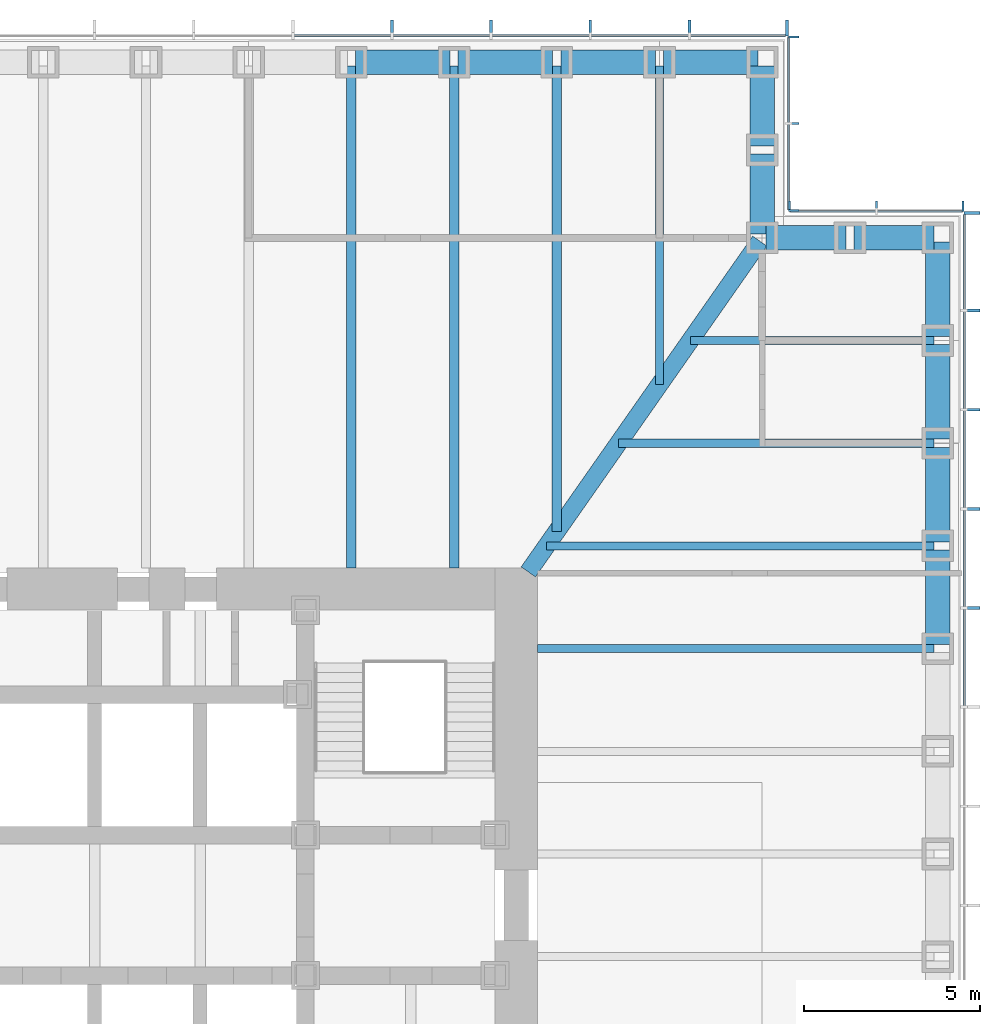
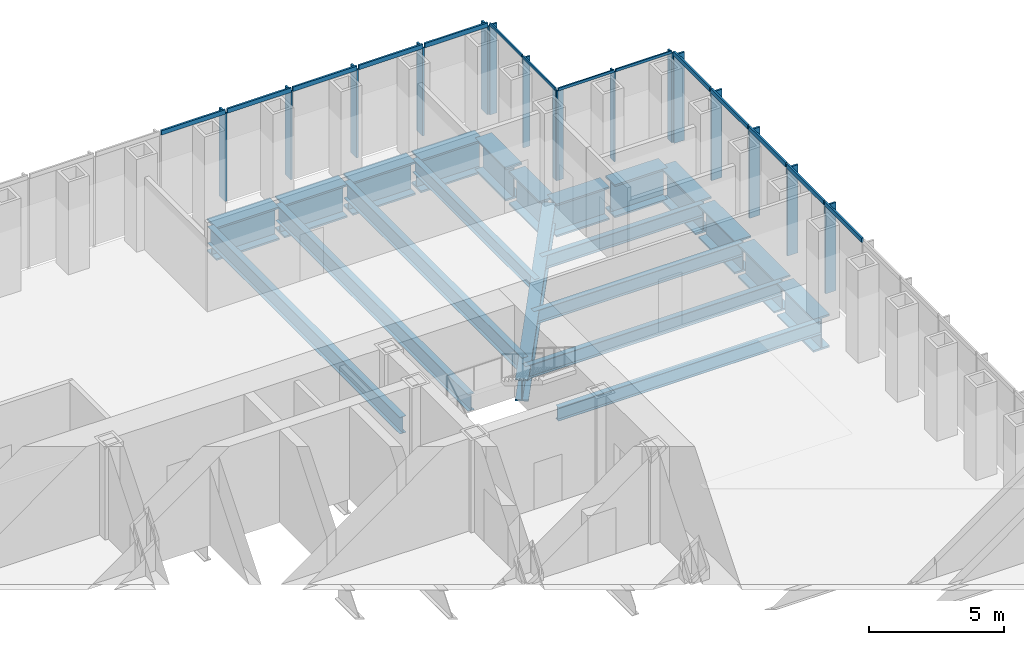
# One storey, part 6 of 17: 30 members, 21 beams, 4 elements without a shape of their own.
"""IFC4 building model written with IfcOpenShell, lengths in metres."""

import ifcopenshell
import ifcopenshell.guid

model = None  # the IFC model being written
_history = None  # IfcOwnerHistory: only IFC2X3 demands one
_inside = {}  # id of a spatial element -> (the spatial element, [elements in it])
_under = {}  # id of a project, library or spatial element -> (it, [spatial elements below it])
_declared = {}  # id of a project -> (the project, [libraries it declares])
_typed = {}  # id of a type object -> (the type object, [elements of that type])
_made_of = {}  # id of a material, layer set ... -> (it, [elements and type objects made of it])


def new_model(schema):
    """Start an empty IFC model of exactly this schema.

    Asked for "IFC4X3", IfcOpenShell would pick the latest addendum, in which some entities
    have other attributes; the version numbers below select the first issue.
    IFC2X3 requires an IfcOwnerHistory on every rooted entity: one is made here for all.
    """
    global model, _history
    if schema == "IFC4X3":
        model = ifcopenshell.file(schema_version=(4, 3, 0, 0))
    else:
        model = ifcopenshell.file(schema=schema)
    _inside.clear()
    _under.clear()
    _declared.clear()
    _typed.clear()
    _made_of.clear()
    _history = None
    if model.schema == "IFC2X3":
        org = make("IfcOrganization", Name="unknown")
        user = make(
            "IfcPersonAndOrganization",
            ThePerson=make("IfcPerson", FamilyName="unknown"),
            TheOrganization=org,
        )
        app = make(
            "IfcApplication",
            ApplicationDeveloper=org,
            Version="unknown",
            ApplicationFullName="unknown",
            ApplicationIdentifier="unknown",
        )
        _history = make(
            "IfcOwnerHistory",
            OwningUser=user,
            OwningApplication=app,
            ChangeAction="ADDED",
            CreationDate=0,
        )
    return model


def make(cls, **values):
    """One entity of the class cls with the attributes given. An attribute that is None is left unset."""
    return model.create_entity(
        cls, **{name: value for name, value in values.items() if value is not None}
    )


def rooted(cls, **values):
    """An entity with a GlobalId (a new one), such as an element, a storey or a relation."""
    return make(cls, GlobalId=ifcopenshell.guid.new(), OwnerHistory=_history, **values)


def si_unit(unit_type, name, prefix=None):
    """IfcSIUnit, for example si_unit("LENGTHUNIT", "METRE", prefix="MILLI")."""
    return make("IfcSIUnit", UnitType=unit_type, Prefix=prefix, Name=name)


def assignment(units):
    """IfcUnitAssignment: the units of a project."""
    return None if units is None else make("IfcUnitAssignment", Units=units)


def point(xyz):
    """IfcCartesianPoint."""
    return None if xyz is None else make("IfcCartesianPoint", Coordinates=xyz)


def direction(xyz):
    """IfcDirection."""
    return None if xyz is None else make("IfcDirection", DirectionRatios=xyz)


def frame(location, z_axis=None, x_axis=None):
    """IfcAxis2Placement3D, a coordinate frame: its origin and axes. An axis left out is left unset."""
    return make(
        "IfcAxis2Placement3D",
        Location=point(location),
        Axis=direction(z_axis),
        RefDirection=direction(x_axis),
    )


def frame_2d(location, x_axis=None):
    """IfcAxis2Placement2D, a coordinate frame in the plane: its origin and x axis."""
    return make(
        "IfcAxis2Placement2D", Location=point(location), RefDirection=direction(x_axis)
    )


def origin():
    """The frame at (0, 0, 0) with its axes left unset."""
    return frame((0.0, 0.0, 0.0))


def origin_2d():
    """The frame at (0, 0) in the plane with its x axis left unset."""
    return frame_2d((0.0, 0.0))


def place(relative_to, where):
    """IfcLocalPlacement: puts the frame where relative to a parent placement (None: the world)."""
    return make(
        "IfcLocalPlacement", PlacementRelTo=relative_to, RelativePlacement=where
    )


def context(
    kind, dimensions, precision=None, world=None, true_north=None, identifier=None
):
    """IfcGeometricRepresentationContext, for example the 3D "Model" context."""
    return make(
        "IfcGeometricRepresentationContext",
        ContextIdentifier=identifier,
        ContextType=kind,
        CoordinateSpaceDimension=dimensions,
        Precision=precision,
        WorldCoordinateSystem=world,
        TrueNorth=true_north,
    )


def subcontext(parent, identifier, kind, view, scale=None):
    """IfcGeometricRepresentationSubContext, for example "Body" below "Model"."""
    return make(
        "IfcGeometricRepresentationSubContext",
        ContextIdentifier=identifier,
        ContextType=kind,
        ParentContext=parent,
        TargetScale=scale,
        TargetView=view,
    )


def project(units=None, contexts=None):
    """IfcProject with its units and contexts."""
    return rooted(
        "IfcProject",
        Name="project",
        RepresentationContexts=contexts,
        UnitsInContext=assignment(units),
    )


def spatial(cls, under=None, at=None, **own):
    """A site, building, storey or space (cls), placed at a placement, below another one or the project."""
    s = rooted(cls, ObjectPlacement=at, **own)
    if under is not None:
        _under.setdefault(under.id(), (under, []))[1].append(s)
    return s


def profile(cls, at=None, kind="AREA", **sizes):
    """A parametric profile (cls). Its sizes go by their IFC names, for example OverallWidth=200.0."""
    return make(cls, ProfileType=kind, Position=at, **sizes)


def rectangle(**sizes):
    """IfcRectangleProfileDef."""
    return profile("IfcRectangleProfileDef", **sizes)


def i_section(**sizes):
    """IfcIShapeProfileDef."""
    return profile("IfcIShapeProfileDef", **sizes)


def extrude(swept, where, along, depth):
    """IfcExtrudedAreaSolid: the profile swept, set in the frame where, extruded along a direction by depth."""
    return make(
        "IfcExtrudedAreaSolid",
        SweptArea=swept,
        Position=where,
        ExtrudedDirection=direction(along),
        Depth=depth,
    )


def shape(context_of_items, identifier, shape_type, items):
    """IfcShapeRepresentation: the items that make up one representation, for example the "Body"."""
    return make(
        "IfcShapeRepresentation",
        ContextOfItems=context_of_items,
        RepresentationIdentifier=identifier,
        RepresentationType=shape_type,
        Items=items,
    )


def material(Name=None, Category=None):
    """IfcMaterial."""
    return make("IfcMaterial", Name=Name, Category=Category)


def material_profile(
    of_material, cross_section, Name=None, Category=None, Priority=None
):
    """IfcMaterialProfile: a cross section and its material."""
    return make(
        "IfcMaterialProfile",
        Name=Name,
        Material=of_material,
        Profile=cross_section,
        Priority=Priority,
        Category=Category,
    )


def profile_set(profiles, Name=None, composite=None):
    """IfcMaterialProfileSet."""
    return make(
        "IfcMaterialProfileSet",
        Name=Name,
        MaterialProfiles=profiles,
        CompositeProfile=composite,
    )


def made_of(thing, what):
    """Note that an element or type object is made of a material, layer set ...; save() writes the relation."""
    if what is not None:
        _made_of.setdefault(what.id(), (what, []))[1].append(thing)
    return thing


def type_object(cls, material=None, **own):
    """A type object (cls), such as IfcWallType, which elements share."""
    return made_of(rooted(cls, **own), material)


def element(
    cls,
    number,
    at=None,
    inside=None,
    cuts=None,
    type_object=None,
    material=None,
    context=None,
    identifier="Body",
    shape_type=None,
    held_by="IfcProductDefinitionShape",
    body=None,
    shapes=None,
    **own,
):
    """One element of the class cls, such as IfcWall. Its Tag is "e" and its number.

    at: its placement. inside: the storey or other place that contains it. cuts: it is an
    opening in that element (IfcRelVoidsElement). A single representation is given by context,
    identifier, shape_type and body (its items); several are given by shapes. held_by: the class
    of the entity that holds the representations. save() writes the other relations.
    """
    e = rooted(cls, Tag="e%d" % number, ObjectPlacement=at, **own)
    if body is not None:
        shapes = [shape(context, identifier, shape_type, body)]
    if shapes is not None:
        e.Representation = make(held_by, Representations=shapes)
    if inside is not None:
        _inside.setdefault(inside.id(), (inside, []))[1].append(e)
    if cuts is not None:
        rooted(
            "IfcRelVoidsElement", RelatingBuildingElement=cuts, RelatedOpeningElement=e
        )
    if type_object is not None:
        _typed.setdefault(type_object.id(), (type_object, []))[1].append(e)
    return made_of(e, material)


def aggregate(whole, parts):
    """IfcRelAggregates: a whole, such as a stair, and the parts it consists of."""
    return rooted("IfcRelAggregates", RelatingObject=whole, RelatedObjects=parts)


def save(model, path):
    """Write the relations noted so far, then the file.

    IfcRelAggregates (storeys below a building ...), IfcRelContainedInSpatialStructure (elements
    in a storey), IfcRelDefinesByType, IfcRelAssociatesMaterial and IfcRelDeclares: one each for
    every whole, place, type object, material and project.
    """
    for whole, parts in _under.values():
        aggregate(whole, parts)
    for where, things in _inside.values():
        rooted(
            "IfcRelContainedInSpatialStructure",
            RelatedElements=things,
            RelatingStructure=where,
        )
    for kind, things in _typed.values():
        rooted("IfcRelDefinesByType", RelatedObjects=things, RelatingType=kind)
    for what, things in _made_of.values():
        rooted("IfcRelAssociatesMaterial", RelatedObjects=things, RelatingMaterial=what)
    for by, libraries in _declared.values():
        rooted("IfcRelDeclares", RelatingContext=by, RelatedDefinitions=libraries)
    model.write(path)


model = new_model("IFC4")

# Units and contexts
model_context = context("Model", 3, precision=1e-05, world=origin(), true_north=direction((0.0, 1.0)))
body_context = subcontext(model_context, "Body", "Model", "MODEL_VIEW")
ifc_project = project(units=[si_unit("LENGTHUNIT", "METRE"), si_unit("AREAUNIT", "SQUARE_METRE"), si_unit("VOLUMEUNIT", "CUBIC_METRE"), si_unit("PLANEANGLEUNIT", "RADIAN"), si_unit("MASSUNIT", "GRAM", prefix="KILO")], contexts=[model_context])

# Site, building, storey
site_placement = place(None, origin())
site = spatial("IfcSite", under=ifc_project, at=site_placement, CompositionType="ELEMENT")
building_placement = place(site_placement, origin())
building = spatial("IfcBuilding", under=site, at=building_placement, Name="Daluyong Arena Tower", CompositionType="ELEMENT")
storey_placement = place(building_placement, frame((0.0, 0.0, 85.300048828125)))
storey = spatial("IfcBuildingStorey", under=building, at=storey_placement, Name="L18", CompositionType="ELEMENT", Elevation=85.300048828125)

# Curtain wall, members
ifc_material_1 = material(Name="Bronze anodised aluminium and glass", Category="aluminium")
curtain_wall_type_1 = type_object("IfcCurtainWallType", Name="Curtain wall CW1", PredefinedType="USERDEFINED", material=ifc_material_1)
curtain_wall_1_placement = place(storey_placement, origin())
curtain_wall_1 = element("IfcCurtainWall", 1, at=curtain_wall_1_placement, inside=storey, type_object=curtain_wall_type_1, Name="curtain wall L18 E", ObjectType="UNITISED CURTAIN WALL", PredefinedType="USERDEFINED")
ifc_material_2 = material(Name="Bronze anodised aluminium fin", Category="aluminium")
ifc_material_profile_1 = material_profile(ifc_material_2, rectangle(XDim=0.449951171875, YDim=0.080078125, at=origin_2d()))
ifc_profile_set_1 = profile_set([ifc_material_profile_1], Name="Bronze anodised aluminium fin")
member_type_1 = type_object("IfcMemberType", Name="CW1 bronze fin 450x80", PredefinedType="MULLION", material=ifc_profile_set_1)
member_1_placement = place(storey_placement, frame((80.97509765625, 88.46435546875, 0.0), z_axis=(0.0, 0.0, 1.0), x_axis=(-1.0, 0.0, 0.0)))
member_1 = element("IfcMember", 2, at=member_1_placement, type_object=member_type_1, Name="curtain wall L18 E fin 11", PredefinedType="MULLION", context=body_context, shape_type="SweptSolid", body=[
    extrude(rectangle(XDim=0.449951171875, YDim=0.080078125, at=origin_2d()), origin(), (0.0, 0.0, 1.0), 4.0),
])
member_2_placement = place(storey_placement, frame((80.97509765625, 91.28564453125, 0.0), z_axis=(0.0, 0.0, 1.0), x_axis=(-1.0, 0.0, 0.0)))
member_2 = element("IfcMember", 3, at=member_2_placement, type_object=member_type_1, Name="curtain wall L18 E fin 12", PredefinedType="MULLION", context=body_context, shape_type="SweptSolid", body=[
    extrude(rectangle(XDim=0.449951171875, YDim=0.080078125, at=origin_2d()), origin(), (0.0, 0.0, 1.0), 4.0),
])
member_3_placement = place(storey_placement, frame((80.97509765625, 94.107177734375, 0.0), z_axis=(0.0, 0.0, 1.0), x_axis=(-1.0, 0.0, 0.0)))
member_3 = element("IfcMember", 4, at=member_3_placement, type_object=member_type_1, Name="curtain wall L18 E fin 13", PredefinedType="MULLION", context=body_context, shape_type="SweptSolid", body=[
    extrude(rectangle(XDim=0.449951171875, YDim=0.080078125, at=origin_2d()), origin(), (0.0, 0.0, 1.0), 4.0),
])
member_4_placement = place(storey_placement, frame((80.97509765625, 96.928466796875, 0.0), z_axis=(0.0, 0.0, 1.0), x_axis=(-1.0, 0.0, 0.0)))
member_4 = element("IfcMember", 5, at=member_4_placement, type_object=member_type_1, Name="curtain wall L18 E fin 14", PredefinedType="MULLION", context=body_context, shape_type="SweptSolid", body=[
    extrude(rectangle(XDim=0.449951171875, YDim=0.080078125, at=origin_2d()), origin(), (0.0, 0.0, 1.0), 4.0),
])
member_5_placement = place(storey_placement, frame((80.97509765625, 99.7099609375, 0.0), z_axis=(0.0, 0.0, 1.0), x_axis=(-1.0, 0.0, 0.0)))
member_5 = element("IfcMember", 6, at=member_5_placement, type_object=member_type_1, Name="curtain wall L18 E fin 15", PredefinedType="MULLION", context=body_context, shape_type="SweptSolid", body=[
    extrude(rectangle(XDim=0.449951171875, YDim=0.080078125, at=origin_2d()), origin(), (0.0, 0.0, 1.0), 4.0),
])

curtain_wall_2_placement = place(storey_placement, origin())
curtain_wall_2 = element("IfcCurtainWall", 7, at=curtain_wall_2_placement, inside=storey, type_object=curtain_wall_type_1, Name="curtain wall L18 N", ObjectType="UNITISED CURTAIN WALL", PredefinedType="USERDEFINED")
member_6_placement = place(storey_placement, frame((75.7099609375, 104.97509765625, 0.0), z_axis=(0.0, 0.0, 1.0), x_axis=(0.0, -1.0, 0.0)))
member_6 = element("IfcMember", 8, at=member_6_placement, type_object=member_type_1, Name="curtain wall L18 N fin 1", PredefinedType="MULLION", context=body_context, shape_type="SweptSolid", body=[
    extrude(rectangle(XDim=0.449951171875, YDim=0.080078125, at=origin_2d()), origin(), (0.0, 0.0, 1.0), 4.0),
])
member_7_placement = place(storey_placement, frame((72.928466796875, 104.97509765625, 0.0), z_axis=(0.0, 0.0, 1.0), x_axis=(0.0, -1.0, 0.0)))
member_7 = element("IfcMember", 9, at=member_7_placement, type_object=member_type_1, Name="curtain wall L18 N fin 2", PredefinedType="MULLION", context=body_context, shape_type="SweptSolid", body=[
    extrude(rectangle(XDim=0.449951171875, YDim=0.080078125, at=origin_2d()), origin(), (0.0, 0.0, 1.0), 4.0),
])
member_8_placement = place(storey_placement, frame((70.107177734375, 104.97509765625, 0.0), z_axis=(0.0, 0.0, 1.0), x_axis=(0.0, -1.0, 0.0)))
member_8 = element("IfcMember", 10, at=member_8_placement, type_object=member_type_1, Name="curtain wall L18 N fin 3", PredefinedType="MULLION", context=body_context, shape_type="SweptSolid", body=[
    extrude(rectangle(XDim=0.449951171875, YDim=0.080078125, at=origin_2d()), origin(), (0.0, 0.0, 1.0), 4.0),
])
member_9_placement = place(storey_placement, frame((67.28564453125, 104.97509765625, 0.0), z_axis=(0.0, 0.0, 1.0), x_axis=(0.0, -1.0, 0.0)))
member_9 = element("IfcMember", 11, at=member_9_placement, type_object=member_type_1, Name="curtain wall L18 N fin 4", PredefinedType="MULLION", context=body_context, shape_type="SweptSolid", body=[
    extrude(rectangle(XDim=0.449951171875, YDim=0.080078125, at=origin_2d()), origin(), (0.0, 0.0, 1.0), 4.0),
])
member_10_placement = place(storey_placement, frame((64.46435546875, 104.97509765625, 0.0), z_axis=(0.0, 0.0, 1.0), x_axis=(0.0, -1.0, 0.0)))
member_10 = element("IfcMember", 12, at=member_10_placement, type_object=member_type_1, Name="curtain wall L18 N fin 5", PredefinedType="MULLION", context=body_context, shape_type="SweptSolid", body=[
    extrude(rectangle(XDim=0.449951171875, YDim=0.080078125, at=origin_2d()), origin(), (0.0, 0.0, 1.0), 4.0),
])

# Member
ifc_material_3 = material(Name="Bronze anodised aluminium", Category="aluminium")
ifc_material_profile_2 = material_profile(ifc_material_3, rectangle(XDim=0.080078125, YDim=0.199951171875, at=origin_2d()))
ifc_profile_set_2 = profile_set([ifc_material_profile_2], Name="Bronze anodised aluminium")
member_type_2 = type_object("IfcMemberType", Name="CW1 stack transom 200x80", PredefinedType="USERDEFINED", material=ifc_profile_set_2)
member_11_placement = place(storey_placement, frame((80.75, 85.682861328125, 4.099853515625), z_axis=(0.0, 1.0, 0.0), x_axis=(-1.0, 0.0, 0.0)))
member_11 = element("IfcMember", 13, at=member_11_placement, type_object=member_type_2, Name="curtain wall L18 E transom 10", ObjectType="TRANSOM", PredefinedType="USERDEFINED", context=body_context, shape_type="SweptSolid", body=[
    extrude(rectangle(XDim=0.080078125, YDim=0.199951171875, at=origin_2d()), origin(), (0.0, 0.0, 1.0), 2.741455078125),
])

member_12_placement = place(storey_placement, frame((80.75, 88.50439453125, 4.099853515625), z_axis=(0.0, 1.0, 0.0), x_axis=(-1.0, 0.0, 0.0)))
member_12 = element("IfcMember", 14, at=member_12_placement, type_object=member_type_2, Name="curtain wall L18 E transom 11", ObjectType="TRANSOM", PredefinedType="USERDEFINED", context=body_context, shape_type="SweptSolid", body=[
    extrude(rectangle(XDim=0.080078125, YDim=0.199951171875, at=origin_2d()), origin(), (0.0, 0.0, 1.0), 2.7412109375),
])

member_13_placement = place(storey_placement, frame((80.75, 91.32568359375, 4.099853515625), z_axis=(0.0, 1.0, 0.0), x_axis=(-1.0, 0.0, 0.0)))
member_13 = element("IfcMember", 15, at=member_13_placement, type_object=member_type_2, Name="curtain wall L18 E transom 12", ObjectType="TRANSOM", PredefinedType="USERDEFINED", context=body_context, shape_type="SweptSolid", body=[
    extrude(rectangle(XDim=0.080078125, YDim=0.199951171875, at=origin_2d()), origin(), (0.0, 0.0, 1.0), 2.741455078125),
])

member_14_placement = place(storey_placement, frame((80.75, 94.147216796875, 4.099853515625), z_axis=(0.0, 1.0, 0.0), x_axis=(-1.0, 0.0, 0.0)))
member_14 = element("IfcMember", 16, at=member_14_placement, type_object=member_type_2, Name="curtain wall L18 E transom 13", ObjectType="TRANSOM", PredefinedType="USERDEFINED", context=body_context, shape_type="SweptSolid", body=[
    extrude(rectangle(XDim=0.080078125, YDim=0.199951171875, at=origin_2d()), origin(), (0.0, 0.0, 1.0), 2.741455078125),
])

member_15_placement = place(storey_placement, frame((80.75, 96.968505859375, 4.099853515625), z_axis=(0.0, 1.0, 0.0), x_axis=(-1.0, 0.0, 0.0)))
member_15 = element("IfcMember", 17, at=member_15_placement, type_object=member_type_2, Name="curtain wall L18 E transom 14", ObjectType="TRANSOM", PredefinedType="USERDEFINED", context=body_context, shape_type="SweptSolid", body=[
    extrude(rectangle(XDim=0.080078125, YDim=0.199951171875, at=origin_2d()), origin(), (0.0, 0.0, 1.0), 2.701416015625),
])

aggregate(curtain_wall_1, [member_1, member_2, member_3, member_4, member_5, member_11, member_12, member_13, member_14, member_15])

member_16_placement = place(storey_placement, frame((75.669921875, 104.75, 4.099853515625), z_axis=(-1.0, 0.0, 0.0), x_axis=(0.0, -1.0, 0.0)))
member_16 = element("IfcMember", 18, at=member_16_placement, type_object=member_type_2, Name="curtain wall L18 N transom 1", ObjectType="TRANSOM", PredefinedType="USERDEFINED", context=body_context, shape_type="SweptSolid", body=[
    extrude(rectangle(XDim=0.080078125, YDim=0.199951171875, at=origin_2d()), origin(), (0.0, 0.0, 1.0), 2.701416015625),
])

member_17_placement = place(storey_placement, frame((72.888671875, 104.75, 4.099853515625), z_axis=(-1.0, 0.0, 0.0), x_axis=(0.0, -1.0, 0.0)))
member_17 = element("IfcMember", 19, at=member_17_placement, type_object=member_type_2, Name="curtain wall L18 N transom 2", ObjectType="TRANSOM", PredefinedType="USERDEFINED", context=body_context, shape_type="SweptSolid", body=[
    extrude(rectangle(XDim=0.080078125, YDim=0.199951171875, at=origin_2d()), origin(), (0.0, 0.0, 1.0), 2.741455078125),
])

member_18_placement = place(storey_placement, frame((70.067138671875, 104.75, 4.099853515625), z_axis=(-1.0, 0.0, 0.0), x_axis=(0.0, -1.0, 0.0)))
member_18 = element("IfcMember", 20, at=member_18_placement, type_object=member_type_2, Name="curtain wall L18 N transom 3", ObjectType="TRANSOM", PredefinedType="USERDEFINED", context=body_context, shape_type="SweptSolid", body=[
    extrude(rectangle(XDim=0.080078125, YDim=0.199951171875, at=origin_2d()), origin(), (0.0, 0.0, 1.0), 2.741455078125),
])

member_19_placement = place(storey_placement, frame((67.24560546875, 104.75, 4.099853515625), z_axis=(-1.0, 0.0, 0.0), x_axis=(0.0, -1.0, 0.0)))
member_19 = element("IfcMember", 21, at=member_19_placement, type_object=member_type_2, Name="curtain wall L18 N transom 4", ObjectType="TRANSOM", PredefinedType="USERDEFINED", context=body_context, shape_type="SweptSolid", body=[
    extrude(rectangle(XDim=0.080078125, YDim=0.199951171875, at=origin_2d()), origin(), (0.0, 0.0, 1.0), 2.7412109375),
])

member_20_placement = place(storey_placement, frame((64.42431640625, 104.75, 4.099853515625), z_axis=(-1.0, 0.0, 0.0), x_axis=(0.0, -1.0, 0.0)))
member_20 = element("IfcMember", 22, at=member_20_placement, type_object=member_type_2, Name="curtain wall L18 N transom 5", ObjectType="TRANSOM", PredefinedType="USERDEFINED", context=body_context, shape_type="SweptSolid", body=[
    extrude(rectangle(XDim=0.080078125, YDim=0.199951171875, at=origin_2d()), origin(), (0.0, 0.0, 1.0), 2.741455078125),
])

aggregate(curtain_wall_2, [member_6, member_7, member_8, member_9, member_10, member_16, member_17, member_18, member_19, member_20])

# Curtain wall, members
ifc_material_4 = material(Name="Bronze anodised aluminium and glass", Category="aluminium")
curtain_wall_type_2 = type_object("IfcCurtainWallType", Name="Curtain wall CW7", PredefinedType="USERDEFINED", material=ifc_material_4)
curtain_wall_3_placement = place(storey_placement, origin())
curtain_wall_3 = element("IfcCurtainWall", 23, at=curtain_wall_3_placement, inside=storey, type_object=curtain_wall_type_2, Name="curtain wall L18 NE-N", ObjectType="UNITISED CURTAIN WALL", PredefinedType="USERDEFINED")
ifc_material_5 = material(Name="Bronze anodised aluminium fin", Category="aluminium")
ifc_material_profile_3 = material_profile(ifc_material_5, rectangle(XDim=0.300048828125, YDim=0.06005859375, at=origin_2d()))
ifc_profile_set_3 = profile_set([ifc_material_profile_3], Name="Bronze anodised aluminium fin")
member_type_3 = type_object("IfcMemberType", Name="CW7 bronze fin 300x60", PredefinedType="MULLION", material=ifc_profile_set_3)
member_21_placement = place(storey_placement, frame((80.719970703125, 99.89990234375, 0.0), z_axis=(0.0, 0.0, 1.0), x_axis=(0.0, -1.0, 0.0)))
member_21 = element("IfcMember", 24, at=member_21_placement, type_object=member_type_3, Name="curtain wall L18 NE-N fin 1", PredefinedType="MULLION", context=body_context, shape_type="SweptSolid", body=[
    extrude(rectangle(XDim=0.300048828125, YDim=0.06005859375, at=origin_2d()), origin(), (0.0, 0.0, 1.0), 4.079833984375),
])
member_22_placement = place(storey_placement, frame((78.25, 99.89990234375, 0.0), z_axis=(0.0, 0.0, 1.0), x_axis=(0.0, -1.0, 0.0)))
member_22 = element("IfcMember", 25, at=member_22_placement, type_object=member_type_3, Name="curtain wall L18 NE-N fin 2", PredefinedType="MULLION", context=body_context, shape_type="SweptSolid", body=[
    extrude(rectangle(XDim=0.300048828125, YDim=0.06005859375, at=origin_2d()), origin(), (0.0, 0.0, 1.0), 4.079833984375),
])
member_23_placement = place(storey_placement, frame((75.780029296875, 99.89990234375, 0.0), z_axis=(0.0, 0.0, 1.0), x_axis=(0.0, -1.0, 0.0)))
member_23 = element("IfcMember", 26, at=member_23_placement, type_object=member_type_3, Name="curtain wall L18 NE-N fin 3", PredefinedType="MULLION", context=body_context, shape_type="SweptSolid", body=[
    extrude(rectangle(XDim=0.300048828125, YDim=0.06005859375, at=origin_2d()), origin(), (0.0, 0.0, 1.0), 4.079833984375),
])

curtain_wall_4_placement = place(storey_placement, origin())
curtain_wall_4 = element("IfcCurtainWall", 27, at=curtain_wall_4_placement, inside=storey, type_object=curtain_wall_type_2, Name="curtain wall L18 NE-E", ObjectType="UNITISED CURTAIN WALL", PredefinedType="USERDEFINED")
member_24_placement = place(storey_placement, frame((75.89990234375, 99.780029296875, 0.0), z_axis=(0.0, 0.0, 1.0), x_axis=(-1.0, 0.0, 0.0)))
member_24 = element("IfcMember", 28, at=member_24_placement, type_object=member_type_3, Name="curtain wall L18 NE-E fin 1", PredefinedType="MULLION", context=body_context, shape_type="SweptSolid", body=[
    extrude(rectangle(XDim=0.300048828125, YDim=0.06005859375, at=origin_2d()), origin(), (0.0, 0.0, 1.0), 4.079833984375),
])
member_25_placement = place(storey_placement, frame((75.89990234375, 102.25, 0.0), z_axis=(0.0, 0.0, 1.0), x_axis=(-1.0, 0.0, 0.0)))
member_25 = element("IfcMember", 29, at=member_25_placement, type_object=member_type_3, Name="curtain wall L18 NE-E fin 2", PredefinedType="MULLION", context=body_context, shape_type="SweptSolid", body=[
    extrude(rectangle(XDim=0.300048828125, YDim=0.06005859375, at=origin_2d()), origin(), (0.0, 0.0, 1.0), 4.079833984375),
])
member_26_placement = place(storey_placement, frame((75.89990234375, 104.719970703125, 0.0), z_axis=(0.0, 0.0, 1.0), x_axis=(-1.0, 0.0, 0.0)))
member_26 = element("IfcMember", 30, at=member_26_placement, type_object=member_type_3, Name="curtain wall L18 NE-E fin 3", PredefinedType="MULLION", context=body_context, shape_type="SweptSolid", body=[
    extrude(rectangle(XDim=0.300048828125, YDim=0.06005859375, at=origin_2d()), origin(), (0.0, 0.0, 1.0), 4.079833984375),
])

# Member
ifc_material_6 = material(Name="Bronze anodised aluminium", Category="aluminium")
ifc_material_profile_4 = material_profile(ifc_material_6, rectangle(XDim=0.06005859375, YDim=0.1201171875, at=origin_2d()))
ifc_profile_set_4 = profile_set([ifc_material_profile_4], Name="Bronze anodised aluminium")
member_type_4 = type_object("IfcMemberType", Name="CW7 stack transom 120x60", PredefinedType="USERDEFINED", material=ifc_profile_set_4)
member_27_placement = place(storey_placement, frame((80.68994140625, 99.75, 4.139892578125), z_axis=(-1.0, 0.0, 0.0), x_axis=(0.0, -1.0, 0.0)))
member_27 = element("IfcMember", 31, at=member_27_placement, type_object=member_type_4, Name="curtain wall L18 NE-N transom 1", ObjectType="TRANSOM", PredefinedType="USERDEFINED", context=body_context, shape_type="SweptSolid", body=[
    extrude(rectangle(XDim=0.06005859375, YDim=0.1201171875, at=origin_2d()), origin(), (0.0, 0.0, 1.0), 2.409912109375),
])

member_28_placement = place(storey_placement, frame((78.219970703125, 99.75, 4.139892578125), z_axis=(-1.0, 0.0, 0.0), x_axis=(0.0, -1.0, 0.0)))
member_28 = element("IfcMember", 32, at=member_28_placement, type_object=member_type_4, Name="curtain wall L18 NE-N transom 2", ObjectType="TRANSOM", PredefinedType="USERDEFINED", context=body_context, shape_type="SweptSolid", body=[
    extrude(rectangle(XDim=0.06005859375, YDim=0.1201171875, at=origin_2d()), origin(), (0.0, 0.0, 1.0), 2.409912109375),
])

aggregate(curtain_wall_3, [member_21, member_22, member_23, member_27, member_28])

member_29_placement = place(storey_placement, frame((75.75, 99.81005859375, 4.139892578125), z_axis=(0.0, 1.0, 0.0), x_axis=(-1.0, 0.0, 0.0)))
member_29 = element("IfcMember", 33, at=member_29_placement, type_object=member_type_4, Name="curtain wall L18 NE-E transom 1", ObjectType="TRANSOM", PredefinedType="USERDEFINED", context=body_context, shape_type="SweptSolid", body=[
    extrude(rectangle(XDim=0.06005859375, YDim=0.1201171875, at=origin_2d()), origin(), (0.0, 0.0, 1.0), 2.409912109375),
])

member_30_placement = place(storey_placement, frame((75.75, 102.280029296875, 4.139892578125), z_axis=(0.0, 1.0, 0.0), x_axis=(-1.0, 0.0, 0.0)))
member_30 = element("IfcMember", 34, at=member_30_placement, type_object=member_type_4, Name="curtain wall L18 NE-E transom 2", ObjectType="TRANSOM", PredefinedType="USERDEFINED", context=body_context, shape_type="SweptSolid", body=[
    extrude(rectangle(XDim=0.06005859375, YDim=0.1201171875, at=origin_2d()), origin(), (0.0, 0.0, 1.0), 2.409912109375),
])

aggregate(curtain_wall_4, [member_24, member_25, member_26, member_29, member_30])

# Beams
ifc_material_7 = material(Name="Steel ASTM A572 Grade 50", Category="steel")
ifc_material_profile_5 = material_profile(ifc_material_7, i_section(OverallWidth=0.5, OverallDepth=1.0, WebThickness=0.03, FlangeThickness=0.06, at=origin_2d()))
ifc_profile_set_5 = profile_set([ifc_material_profile_5], Name="Steel ASTM A572 Grade 50")
beam_type_1 = type_object("IfcBeamType", Name="Corner girder TB1000X500", PredefinedType="BEAM", material=ifc_profile_set_5)
beam_1_placement = place(storey_placement, frame((74.93408203125, 98.90576171875, -0.66015625), z_axis=(-0.573466621875, -0.819228926244, 0.0), x_axis=(0.819228926244, -0.573466621875, 0.0)))
element("IfcBeam", 35, at=beam_1_placement, inside=storey, type_object=beam_type_1, Name="corner girder DG2", PredefinedType="BEAM", context=body_context, shape_type="SweptSolid", body=[
    extrude(i_section(OverallWidth=0.5, OverallDepth=1.0, WebThickness=0.03, FlangeThickness=0.06, at=origin_2d()), origin(), (0.0, 0.0, 1.0), 11.49169921875),
])
ifc_material_8 = material(Name="Steel ASTM A992 Grade 50", Category="steel")
ifc_material_profile_6 = material_profile(ifc_material_8, i_section(OverallWidth=0.22900390625, OverallDepth=0.612060546875, WebThickness=0.011962890625, FlangeThickness=0.01953125, at=origin_2d()))
ifc_profile_set_6 = profile_set([ifc_material_profile_6], Name="Steel ASTM A992 Grade 50")
beam_type_2 = type_object("IfcBeamType", Name="Floor beam W24X84", PredefinedType="BEAM", material=ifc_profile_set_6)
beam_2_placement = place(storey_placement, frame((79.885009765625, 87.3076171875, -0.466064453125), z_axis=(-1.0, 0.0, 0.0), x_axis=(0.0, -1.0, 0.0)))
element("IfcBeam", 36, at=beam_2_placement, inside=storey, type_object=beam_type_2, Name="floor beam FB3", PredefinedType="BEAM", context=body_context, shape_type="SweptSolid", body=[
    extrude(i_section(OverallWidth=0.22900390625, OverallDepth=0.612060546875, WebThickness=0.011962890625, FlangeThickness=0.01953125, at=origin_2d()), origin(), (0.0, 0.0, 1.0), 11.284912109375),
])
beam_3_placement = place(storey_placement, frame((79.885009765625, 90.230712890625, -0.466064453125), z_axis=(-1.0, 0.0, 0.0), x_axis=(0.0, -1.0, 0.0)))
element("IfcBeam", 37, at=beam_3_placement, inside=storey, type_object=beam_type_2, Name="floor beam FB3", PredefinedType="BEAM", context=body_context, shape_type="SweptSolid", body=[
    extrude(i_section(OverallWidth=0.22900390625, OverallDepth=0.612060546875, WebThickness=0.011962890625, FlangeThickness=0.01953125, at=origin_2d()), origin(), (0.0, 0.0, 1.0), 11.0234375),
])
beam_4_placement = place(storey_placement, frame((79.885009765625, 93.15380859375, -0.466064453125), z_axis=(-1.0, 0.0, 0.0), x_axis=(0.0, -1.0, 0.0)))
element("IfcBeam", 38, at=beam_4_placement, inside=storey, type_object=beam_type_2, Name="floor beam FB3", PredefinedType="BEAM", context=body_context, shape_type="SweptSolid", body=[
    extrude(i_section(OverallWidth=0.22900390625, OverallDepth=0.612060546875, WebThickness=0.011962890625, FlangeThickness=0.01953125, at=origin_2d()), origin(), (0.0, 0.0, 1.0), 8.977294921875),
])
beam_5_placement = place(storey_placement, frame((79.885009765625, 96.076904296875, -0.466064453125), z_axis=(-1.0, 0.0, 0.0), x_axis=(0.0, -1.0, 0.0)))
element("IfcBeam", 39, at=beam_5_placement, inside=storey, type_object=beam_type_2, Name="floor beam FB3", PredefinedType="BEAM", context=body_context, shape_type="SweptSolid", body=[
    extrude(i_section(OverallWidth=0.22900390625, OverallDepth=0.612060546875, WebThickness=0.011962890625, FlangeThickness=0.01953125, at=origin_2d()), origin(), (0.0, 0.0, 1.0), 6.93115234375),
])
beam_6_placement = place(storey_placement, frame((72.076904296875, 103.885009765625, -0.466064453125), z_axis=(0.0, -1.0, 0.0), x_axis=(1.0, 0.0, 0.0)))
element("IfcBeam", 40, at=beam_6_placement, inside=storey, type_object=beam_type_2, Name="floor beam FB3", PredefinedType="BEAM", context=body_context, shape_type="SweptSolid", body=[
    extrude(i_section(OverallWidth=0.22900390625, OverallDepth=0.612060546875, WebThickness=0.011962890625, FlangeThickness=0.01953125, at=origin_2d()), origin(), (0.0, 0.0, 1.0), 9.060791015625),
])
ifc_material_9 = material(Name="Steel ASTM A992 Grade 50", Category="steel")
ifc_material_profile_7 = material_profile(ifc_material_9, i_section(OverallWidth=0.2666015625, OverallDepth=0.761962890625, WebThickness=0.014404296875, FlangeThickness=0.021484375, at=origin_2d()))
ifc_profile_set_7 = profile_set([ifc_material_profile_7], Name="Steel ASTM A992 Grade 50")
beam_type_3 = type_object("IfcBeamType", Name="Floor beam W30X116", PredefinedType="BEAM", material=ifc_profile_set_7)
beam_7_placement = place(storey_placement, frame((69.15380859375, 103.885009765625, -0.541015625), z_axis=(0.0, -1.0, 0.0), x_axis=(1.0, 0.0, 0.0)))
element("IfcBeam", 41, at=beam_7_placement, inside=storey, type_object=beam_type_3, Name="floor beam FB4", PredefinedType="BEAM", context=body_context, shape_type="SweptSolid", body=[
    extrude(i_section(OverallWidth=0.2666015625, OverallDepth=0.761962890625, WebThickness=0.014404296875, FlangeThickness=0.021484375, at=origin_2d()), origin(), (0.0, 0.0, 1.0), 13.236572265625),
])
for number, where, z_axis, x_axis, name in (
    (42, (66.230712890625, 103.885009765625, -0.541015625), (0.0, -1.0, 0.0), (1.0, 0.0, 0.0), "floor beam FB4"),
    (43, (63.3076171875, 103.885009765625, -0.541015625), (0.0, -1.0, 0.0), (1.0, 0.0, 0.0), "floor beam FB4"),
):
    element("IfcBeam", number, at=place(storey_placement, frame(where, z_axis=z_axis, x_axis=x_axis)), inside=storey, type_object=beam_type_3, Name=name, PredefinedType="BEAM", context=body_context, shape_type="SweptSolid", body=[
        extrude(i_section(OverallWidth=0.2666015625, OverallDepth=0.761962890625, WebThickness=0.014404296875, FlangeThickness=0.021484375, at=origin_2d()), origin(), (0.0, 0.0, 1.0), 14.284912109375),
    ])
ifc_material_10 = material(Name="Steel ASTM A572 Grade 50", Category="steel")
ifc_material_profile_8 = material_profile(ifc_material_10, i_section(OverallWidth=0.699951171875, OverallDepth=1.5, WebThickness=0.04, FlangeThickness=0.08, at=origin_2d()))
ifc_profile_set_8 = profile_set([ifc_material_profile_8], Name="Steel ASTM A572 Grade 50")
beam_type_4 = type_object("IfcBeamType", Name="Spandrel Z1 PG1500X700", PredefinedType="SPANDREL", material=ifc_profile_set_8)
for number, where, z_axis, x_axis, name in (
    (44, (80.0, 87.422607421875, -0.91015625), (0.0, 1.0, 0.0), (-1.0, 0.0, 0.0), "spandrel z1 SB4"),
    (45, (80.0, 90.345703125, -0.91015625), (0.0, 1.0, 0.0), (-1.0, 0.0, 0.0), "spandrel z1 SB4"),
    (46, (80.0, 93.268798828125, -0.91015625), (0.0, 1.0, 0.0), (-1.0, 0.0, 0.0), "spandrel z1 SB4"),
    (47, (80.0, 96.19189453125, -0.91015625), (0.0, 1.0, 0.0), (-1.0, 0.0, 0.0), "spandrel z1 SB4"),
):
    element("IfcBeam", number, at=place(storey_placement, frame(where, z_axis=z_axis, x_axis=x_axis)), inside=storey, type_object=beam_type_4, Name=name, PredefinedType="SPANDREL", context=body_context, shape_type="SweptSolid", body=[
        extrude(i_section(OverallWidth=0.699951171875, OverallDepth=1.5, WebThickness=0.04, FlangeThickness=0.08, at=origin_2d()), origin(), (0.0, 0.0, 1.0), 2.693115234375),
    ])
for number, where, z_axis, x_axis, name in (
    (48, (79.885009765625, 99.0, -0.91015625), (-1.0, 0.0, 0.0), (0.0, -1.0, 0.0), "spandrel z1 SB4"),
    (49, (77.385009765625, 99.0, -0.91015625), (-1.0, 0.0, 0.0), (0.0, -1.0, 0.0), "spandrel z1 SB4"),
    (50, (75.0, 99.114990234375, -0.91015625), (0.0, 1.0, 0.0), (-1.0, 0.0, 0.0), "spandrel z1 SB4"),
    (51, (75.0, 101.614990234375, -0.91015625), (0.0, 1.0, 0.0), (-1.0, 0.0, 0.0), "spandrel z1 SB4"),
):
    element("IfcBeam", number, at=place(storey_placement, frame(where, z_axis=z_axis, x_axis=x_axis)), inside=storey, type_object=beam_type_4, Name=name, PredefinedType="SPANDREL", context=body_context, shape_type="SweptSolid", body=[
        extrude(i_section(OverallWidth=0.699951171875, OverallDepth=1.5, WebThickness=0.04, FlangeThickness=0.08, at=origin_2d()), origin(), (0.0, 0.0, 1.0), 2.27001953125),
    ])
for number, where, z_axis, x_axis, name in (
    (52, (74.885009765625, 104.0, -0.91015625), (-1.0, 0.0, 0.0), (0.0, -1.0, 0.0), "spandrel z1 SB4"),
    (53, (71.9619140625, 104.0, -0.91015625), (-1.0, 0.0, 0.0), (0.0, -1.0, 0.0), "spandrel z1 SB4"),
    (54, (69.038818359375, 104.0, -0.91015625), (-1.0, 0.0, 0.0), (0.0, -1.0, 0.0), "spandrel z1 SB4"),
    (55, (66.11572265625, 104.0, -0.91015625), (-1.0, 0.0, 0.0), (0.0, -1.0, 0.0), "spandrel z1 SB4"),
):
    element("IfcBeam", number, at=place(storey_placement, frame(where, z_axis=z_axis, x_axis=x_axis)), inside=storey, type_object=beam_type_4, Name=name, PredefinedType="SPANDREL", context=body_context, shape_type="SweptSolid", body=[
        extrude(i_section(OverallWidth=0.699951171875, OverallDepth=1.5, WebThickness=0.04, FlangeThickness=0.08, at=origin_2d()), origin(), (0.0, 0.0, 1.0), 2.693115234375),
    ])

save(model, "model.ifc")
